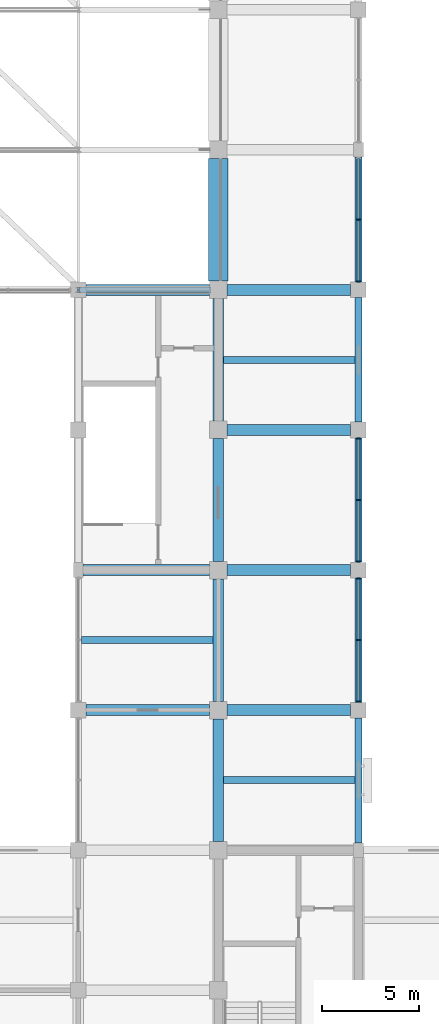
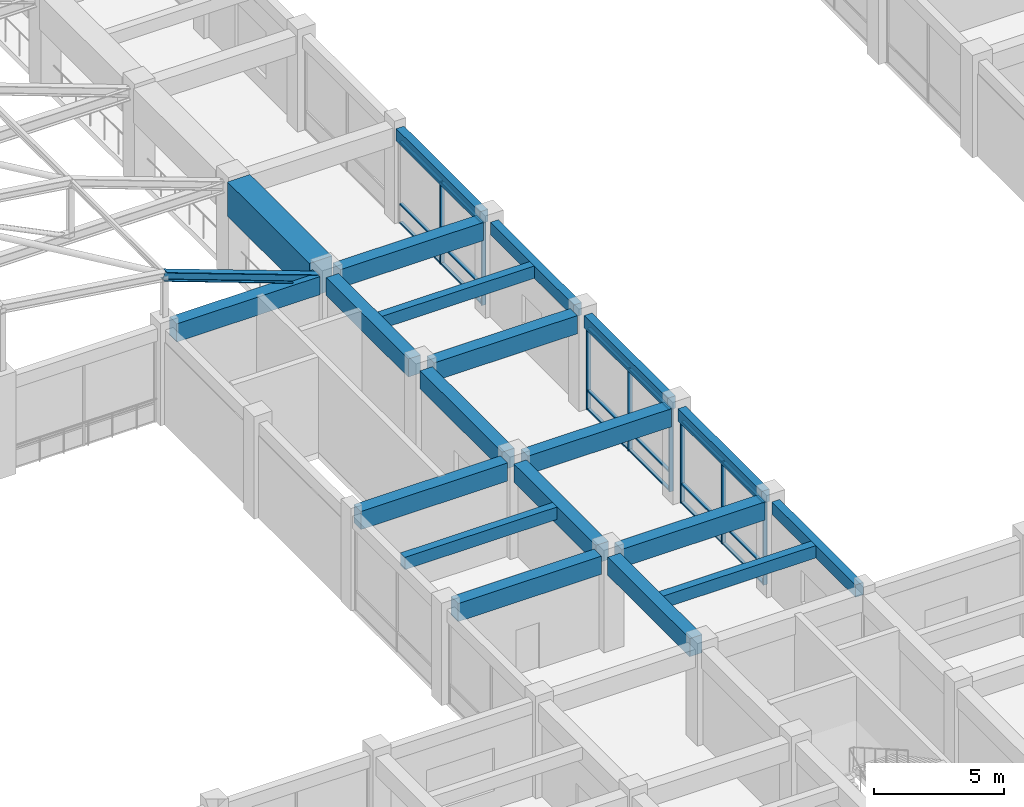
# One storey, part 9 of 75: 27 members, 20 beams, 3 elements without a shape of their own.
"""IFC4 building model written with IfcOpenShell, lengths in metres."""

import ifcopenshell
import ifcopenshell.guid

model = None  # the IFC model being written
_history = None  # IfcOwnerHistory: only IFC2X3 demands one
_inside = {}  # id of a spatial element -> (the spatial element, [elements in it])
_under = {}  # id of a project, library or spatial element -> (it, [spatial elements below it])
_declared = {}  # id of a project -> (the project, [libraries it declares])
_typed = {}  # id of a type object -> (the type object, [elements of that type])
_made_of = {}  # id of a material, layer set ... -> (it, [elements and type objects made of it])


def new_model(schema):
    """Start an empty IFC model of exactly this schema.

    Asked for "IFC4X3", IfcOpenShell would pick the latest addendum, in which some entities
    have other attributes; the version numbers below select the first issue.
    IFC2X3 requires an IfcOwnerHistory on every rooted entity: one is made here for all.
    """
    global model, _history
    if schema == "IFC4X3":
        model = ifcopenshell.file(schema_version=(4, 3, 0, 0))
    else:
        model = ifcopenshell.file(schema=schema)
    _inside.clear()
    _under.clear()
    _declared.clear()
    _typed.clear()
    _made_of.clear()
    _history = None
    if model.schema == "IFC2X3":
        org = make("IfcOrganization", Name="unknown")
        user = make(
            "IfcPersonAndOrganization",
            ThePerson=make("IfcPerson", FamilyName="unknown"),
            TheOrganization=org,
        )
        app = make(
            "IfcApplication",
            ApplicationDeveloper=org,
            Version="unknown",
            ApplicationFullName="unknown",
            ApplicationIdentifier="unknown",
        )
        _history = make(
            "IfcOwnerHistory",
            OwningUser=user,
            OwningApplication=app,
            ChangeAction="ADDED",
            CreationDate=0,
        )
    return model


def make(cls, **values):
    """One entity of the class cls with the attributes given. An attribute that is None is left unset."""
    return model.create_entity(
        cls, **{name: value for name, value in values.items() if value is not None}
    )


def rooted(cls, **values):
    """An entity with a GlobalId (a new one), such as an element, a storey or a relation."""
    return make(cls, GlobalId=ifcopenshell.guid.new(), OwnerHistory=_history, **values)


def si_unit(unit_type, name, prefix=None):
    """IfcSIUnit, for example si_unit("LENGTHUNIT", "METRE", prefix="MILLI")."""
    return make("IfcSIUnit", UnitType=unit_type, Prefix=prefix, Name=name)


def assignment(units):
    """IfcUnitAssignment: the units of a project."""
    return None if units is None else make("IfcUnitAssignment", Units=units)


def point(xyz):
    """IfcCartesianPoint."""
    return None if xyz is None else make("IfcCartesianPoint", Coordinates=xyz)


def direction(xyz):
    """IfcDirection."""
    return None if xyz is None else make("IfcDirection", DirectionRatios=xyz)


def frame(location, z_axis=None, x_axis=None):
    """IfcAxis2Placement3D, a coordinate frame: its origin and axes. An axis left out is left unset."""
    return make(
        "IfcAxis2Placement3D",
        Location=point(location),
        Axis=direction(z_axis),
        RefDirection=direction(x_axis),
    )


def frame_2d(location, x_axis=None):
    """IfcAxis2Placement2D, a coordinate frame in the plane: its origin and x axis."""
    return make(
        "IfcAxis2Placement2D", Location=point(location), RefDirection=direction(x_axis)
    )


def origin():
    """The frame at (0, 0, 0) with its axes left unset."""
    return frame((0.0, 0.0, 0.0))


def origin_2d():
    """The frame at (0, 0) in the plane with its x axis left unset."""
    return frame_2d((0.0, 0.0))


def place(relative_to, where):
    """IfcLocalPlacement: puts the frame where relative to a parent placement (None: the world)."""
    return make(
        "IfcLocalPlacement", PlacementRelTo=relative_to, RelativePlacement=where
    )


def context(
    kind, dimensions, precision=None, world=None, true_north=None, identifier=None
):
    """IfcGeometricRepresentationContext, for example the 3D "Model" context."""
    return make(
        "IfcGeometricRepresentationContext",
        ContextIdentifier=identifier,
        ContextType=kind,
        CoordinateSpaceDimension=dimensions,
        Precision=precision,
        WorldCoordinateSystem=world,
        TrueNorth=true_north,
    )


def subcontext(parent, identifier, kind, view, scale=None):
    """IfcGeometricRepresentationSubContext, for example "Body" below "Model"."""
    return make(
        "IfcGeometricRepresentationSubContext",
        ContextIdentifier=identifier,
        ContextType=kind,
        ParentContext=parent,
        TargetScale=scale,
        TargetView=view,
    )


def project(units=None, contexts=None):
    """IfcProject with its units and contexts."""
    return rooted(
        "IfcProject",
        Name="project",
        RepresentationContexts=contexts,
        UnitsInContext=assignment(units),
    )


def spatial(cls, under=None, at=None, **own):
    """A site, building, storey or space (cls), placed at a placement, below another one or the project."""
    s = rooted(cls, ObjectPlacement=at, **own)
    if under is not None:
        _under.setdefault(under.id(), (under, []))[1].append(s)
    return s


def profile(cls, at=None, kind="AREA", **sizes):
    """A parametric profile (cls). Its sizes go by their IFC names, for example OverallWidth=200.0."""
    return make(cls, ProfileType=kind, Position=at, **sizes)


def rectangle(**sizes):
    """IfcRectangleProfileDef."""
    return profile("IfcRectangleProfileDef", **sizes)


def i_section(**sizes):
    """IfcIShapeProfileDef."""
    return profile("IfcIShapeProfileDef", **sizes)


def extrude(swept, where, along, depth):
    """IfcExtrudedAreaSolid: the profile swept, set in the frame where, extruded along a direction by depth."""
    return make(
        "IfcExtrudedAreaSolid",
        SweptArea=swept,
        Position=where,
        ExtrudedDirection=direction(along),
        Depth=depth,
    )


def shape(context_of_items, identifier, shape_type, items):
    """IfcShapeRepresentation: the items that make up one representation, for example the "Body"."""
    return make(
        "IfcShapeRepresentation",
        ContextOfItems=context_of_items,
        RepresentationIdentifier=identifier,
        RepresentationType=shape_type,
        Items=items,
    )


def material(Name=None, Category=None):
    """IfcMaterial."""
    return make("IfcMaterial", Name=Name, Category=Category)


def layer(
    of_material, thickness, ventilated=None, Name=None, Category=None, Priority=None
):
    """IfcMaterialLayer: one layer of a wall or slab, of a material (None: an air gap)."""
    return make(
        "IfcMaterialLayer",
        Material=of_material,
        LayerThickness=thickness,
        IsVentilated=ventilated,
        Name=Name,
        Category=Category,
        Priority=Priority,
    )


def layer_set(layers, Name=None):
    """IfcMaterialLayerSet."""
    return make("IfcMaterialLayerSet", MaterialLayers=layers, LayerSetName=Name)


def material_profile(
    of_material, cross_section, Name=None, Category=None, Priority=None
):
    """IfcMaterialProfile: a cross section and its material."""
    return make(
        "IfcMaterialProfile",
        Name=Name,
        Material=of_material,
        Profile=cross_section,
        Priority=Priority,
        Category=Category,
    )


def profile_set(profiles, Name=None, composite=None):
    """IfcMaterialProfileSet."""
    return make(
        "IfcMaterialProfileSet",
        Name=Name,
        MaterialProfiles=profiles,
        CompositeProfile=composite,
    )


def made_of(thing, what):
    """Note that an element or type object is made of a material, layer set ...; save() writes the relation."""
    if what is not None:
        _made_of.setdefault(what.id(), (what, []))[1].append(thing)
    return thing


def type_object(cls, material=None, **own):
    """A type object (cls), such as IfcWallType, which elements share."""
    return made_of(rooted(cls, **own), material)


def element(
    cls,
    number,
    at=None,
    inside=None,
    cuts=None,
    type_object=None,
    material=None,
    context=None,
    identifier="Body",
    shape_type=None,
    held_by="IfcProductDefinitionShape",
    body=None,
    shapes=None,
    **own,
):
    """One element of the class cls, such as IfcWall. Its Tag is "e" and its number.

    at: its placement. inside: the storey or other place that contains it. cuts: it is an
    opening in that element (IfcRelVoidsElement). A single representation is given by context,
    identifier, shape_type and body (its items); several are given by shapes. held_by: the class
    of the entity that holds the representations. save() writes the other relations.
    """
    e = rooted(cls, Tag="e%d" % number, ObjectPlacement=at, **own)
    if body is not None:
        shapes = [shape(context, identifier, shape_type, body)]
    if shapes is not None:
        e.Representation = make(held_by, Representations=shapes)
    if inside is not None:
        _inside.setdefault(inside.id(), (inside, []))[1].append(e)
    if cuts is not None:
        rooted(
            "IfcRelVoidsElement", RelatingBuildingElement=cuts, RelatedOpeningElement=e
        )
    if type_object is not None:
        _typed.setdefault(type_object.id(), (type_object, []))[1].append(e)
    return made_of(e, material)


def aggregate(whole, parts):
    """IfcRelAggregates: a whole, such as a stair, and the parts it consists of."""
    return rooted("IfcRelAggregates", RelatingObject=whole, RelatedObjects=parts)


def save(model, path):
    """Write the relations noted so far, then the file.

    IfcRelAggregates (storeys below a building ...), IfcRelContainedInSpatialStructure (elements
    in a storey), IfcRelDefinesByType, IfcRelAssociatesMaterial and IfcRelDeclares: one each for
    every whole, place, type object, material and project.
    """
    for whole, parts in _under.values():
        aggregate(whole, parts)
    for where, things in _inside.values():
        rooted(
            "IfcRelContainedInSpatialStructure",
            RelatedElements=things,
            RelatingStructure=where,
        )
    for kind, things in _typed.values():
        rooted("IfcRelDefinesByType", RelatedObjects=things, RelatingType=kind)
    for what, things in _made_of.values():
        rooted("IfcRelAssociatesMaterial", RelatedObjects=things, RelatingMaterial=what)
    for by, libraries in _declared.values():
        rooted("IfcRelDeclares", RelatingContext=by, RelatedDefinitions=libraries)
    model.write(path)


model = new_model("IFC4")

# Units and contexts
model_context = context("Model", 3, precision=1e-05, world=origin(), true_north=direction((0.0, 1.0)))
body_context = subcontext(model_context, "Body", "Model", "MODEL_VIEW")
ifc_project = project(units=[si_unit("LENGTHUNIT", "METRE"), si_unit("AREAUNIT", "SQUARE_METRE"), si_unit("VOLUMEUNIT", "CUBIC_METRE"), si_unit("PLANEANGLEUNIT", "RADIAN"), si_unit("MASSUNIT", "GRAM", prefix="KILO")], contexts=[model_context])

# Site, building, storey
site_placement = place(None, origin())
site = spatial("IfcSite", under=ifc_project, at=site_placement, CompositionType="ELEMENT")
building_placement = place(site_placement, origin())
building = spatial("IfcBuilding", under=site, at=building_placement, Name="Cendaluz Park School", CompositionType="ELEMENT")
storey_placement = place(building_placement, frame((0.0, 0.0, 4.800048828125)))
storey = spatial("IfcBuildingStorey", under=building, at=storey_placement, Name="L01", CompositionType="ELEMENT", Elevation=4.800048828125)

# Beams
ifc_material_1 = material(Name="Concrete C40/50", Category="concrete")
ifc_material_profile_1 = material_profile(ifc_material_1, rectangle(XDim=0.550048828125, YDim=0.85009765625, at=origin_2d()), Name="RC 550x850", Category="concrete")
ifc_profile_set_1 = profile_set([ifc_material_profile_1], Name="Concrete C40/50")
beam_type_1 = type_object("IfcBeamType", Name="BM-RC01", PredefinedType="BEAM", material=ifc_profile_set_1)
beam_1_placement = place(storey_placement, frame((29.199951171875, 36.0, 4.0048828125), z_axis=(1.0, 0.0, 0.0), x_axis=(0.0, 1.0, 0.0)))
element("IfcBeam", 1, at=beam_1_placement, inside=storey, type_object=beam_type_1, Name="BM-L01-BMRC01-0047", PredefinedType="BEAM", context=body_context, shape_type="SweptSolid", body=[
    extrude(rectangle(XDim=0.550048828125, YDim=0.85009765625, at=origin_2d()), origin(), (0.0, 0.0, 1.0), 6.35009765625),
])
beam_2_placement = place(storey_placement, frame((29.050048828125, 43.199951171875, 4.0048828125), z_axis=(1.0, 0.0, 0.0), x_axis=(0.0, 1.0, 0.0)))
element("IfcBeam", 2, at=beam_2_placement, inside=storey, type_object=beam_type_1, Name="BM-L01-BMRC01-0048", PredefinedType="BEAM", context=body_context, shape_type="SweptSolid", body=[
    extrude(rectangle(XDim=0.550048828125, YDim=0.85009765625, at=origin_2d()), origin(), (0.0, 0.0, 1.0), 6.5),
])
for number, where, z_axis, x_axis, name in (
    (3, (29.199951171875, 57.60009765625, 4.0048828125), (1.0, 0.0, 0.0), (0.0, 1.0, 0.0), "BM-L01-BMRC01-0049"),
    (4, (36.449951171875, 36.0, 4.0048828125), (1.0, 0.0, 0.0), (0.0, 1.0, 0.0), "BM-L01-BMRC01-0057"),
    (5, (36.449951171875, 43.199951171875, 4.0048828125), (1.0, 0.0, 0.0), (0.0, 1.0, 0.0), "BM-L01-BMRC01-0058"),
    (6, (36.449951171875, 50.39990234375, 4.0048828125), (1.0, 0.0, 0.0), (0.0, 1.0, 0.0), "BM-L01-BMRC01-0059"),
    (7, (36.449951171875, 57.60009765625, 4.0048828125), (1.0, 0.0, 0.0), (0.0, 1.0, 0.0), "BM-L01-BMRC01-0060"),
):
    element("IfcBeam", number, at=place(storey_placement, frame(where, z_axis=z_axis, x_axis=x_axis)), inside=storey, type_object=beam_type_1, Name=name, PredefinedType="BEAM", context=body_context, shape_type="SweptSolid", body=[
        extrude(rectangle(XDim=0.550048828125, YDim=0.85009765625, at=origin_2d()), origin(), (0.0, 0.0, 1.0), 6.35009765625),
    ])
for number, where, z_axis, x_axis, name in (
    (8, (36.0, 29.25, 4.0048828125), (0.0, 1.0, 0.0), (-1.0, 0.0, 0.0), "BM-L01-BMRC01-0275"),
    (9, (36.0, 36.449951171875, 4.0048828125), (0.0, 1.0, 0.0), (-1.0, 0.0, 0.0), "BM-L01-BMRC01-0276"),
    (10, (36.0, 43.64990234375, 4.0048828125), (0.0, 1.0, 0.0), (-1.0, 0.0, 0.0), "BM-L01-BMRC01-0277"),
):
    element("IfcBeam", number, at=place(storey_placement, frame(where, z_axis=z_axis, x_axis=x_axis)), inside=storey, type_object=beam_type_1, Name=name, PredefinedType="BEAM", context=body_context, shape_type="SweptSolid", body=[
        extrude(rectangle(XDim=0.550048828125, YDim=0.85009765625, at=origin_2d()), origin(), (0.0, 0.0, 1.0), 6.300048828125),
    ])
beam_3_placement = place(storey_placement, frame((36.0, 50.85009765625, 4.0048828125), z_axis=(0.0, 1.0, 0.0), x_axis=(-1.0, 0.0, 0.0)))
element("IfcBeam", 11, at=beam_3_placement, inside=storey, type_object=beam_type_1, Name="BM-L01-BMRC01-0278", PredefinedType="BEAM", context=body_context, shape_type="SweptSolid", body=[
    extrude(rectangle(XDim=0.550048828125, YDim=0.85009765625, at=origin_2d()), origin(), (0.0, 0.0, 1.0), 6.2998046875),
])
ifc_material_profile_2 = material_profile(ifc_material_1, rectangle(XDim=0.35009765625, YDim=0.580078125, at=origin_2d()), Name="RC 350x580", Category="concrete")
ifc_profile_set_2 = profile_set([ifc_material_profile_2], Name="Concrete C40/50")
beam_type_2 = type_object("IfcBeamType", Name="BM-RC04", PredefinedType="LINTEL", material=ifc_profile_set_2)
beam_4_placement = place(storey_placement, frame((43.199951171875, 29.175048828125, 4.139892578125), z_axis=(0.0, 1.0, 0.0), x_axis=(-1.0, 0.0, 0.0)))
element("IfcBeam", 12, at=beam_4_placement, inside=storey, type_object=beam_type_2, Name="BM-L01-BMRC04-0291", PredefinedType="LINTEL", context=body_context, shape_type="SweptSolid", body=[
    extrude(rectangle(XDim=0.35009765625, YDim=0.580078125, at=origin_2d()), origin(), (0.0, 0.0, 1.0), 6.425048828125),
])
beam_5_placement = place(storey_placement, frame((43.199951171875, 36.39990234375, 4.139892578125), z_axis=(0.0, 1.0, 0.0), x_axis=(-1.0, 0.0, 0.0)))
element("IfcBeam", 13, at=beam_5_placement, inside=storey, type_object=beam_type_2, Name="BM-L01-BMRC04-0292", PredefinedType="LINTEL", context=body_context, shape_type="SweptSolid", body=[
    extrude(rectangle(XDim=0.35009765625, YDim=0.580078125, at=origin_2d()), origin(), (0.0, 0.0, 1.0), 6.400146484375),
])
for number, where, z_axis, x_axis, name in (
    (14, (43.199951171875, 43.60009765625, 4.139892578125), (0.0, 1.0, 0.0), (-1.0, 0.0, 0.0), "BM-L01-BMRC04-0293"),
    (15, (43.199951171875, 50.800048828125, 4.139892578125), (0.0, 1.0, 0.0), (-1.0, 0.0, 0.0), "BM-L01-BMRC04-0294"),
):
    element("IfcBeam", number, at=place(storey_placement, frame(where, z_axis=z_axis, x_axis=x_axis)), inside=storey, type_object=beam_type_2, Name=name, PredefinedType="LINTEL", context=body_context, shape_type="SweptSolid", body=[
        extrude(rectangle(XDim=0.35009765625, YDim=0.580078125, at=origin_2d()), origin(), (0.0, 0.0, 1.0), 6.39990234375),
    ])
beam_6_placement = place(storey_placement, frame((43.199951171875, 58.0, 4.139892578125), z_axis=(0.0, 1.0, 0.0), x_axis=(-1.0, 0.0, 0.0)))
element("IfcBeam", 16, at=beam_6_placement, inside=storey, type_object=beam_type_2, Name="BM-L01-BMRC04-0295", PredefinedType="LINTEL", context=body_context, shape_type="SweptSolid", body=[
    extrude(rectangle(XDim=0.35009765625, YDim=0.580078125, at=origin_2d()), origin(), (0.0, 0.0, 1.0), 6.425048828125),
])

# Curtain wall, members
ifc_material_2 = material(Name="Anodised Aluminium 6063-T6", Category="aluminium")
ifc_layer = layer(ifc_material_2, 0.179931640625)
ifc_layer_set = layer_set([ifc_layer], Name="Anodised Aluminium 6063-T6")
curtain_wall_type = type_object("IfcCurtainWallType", Name="CW-128x77", PredefinedType="NOTDEFINED", material=ifc_layer_set)
curtain_wall_1_placement = place(storey_placement, origin())
curtain_wall_1 = element("IfcCurtainWall", 17, at=curtain_wall_1_placement, inside=storey, type_object=curtain_wall_type, Name="CW-L01-025", PredefinedType="NOTDEFINED")
ifc_material_profile_3 = material_profile(ifc_material_2, rectangle(XDim=0.179931640625, YDim=0.070068359375, at=origin_2d()), Name="CWM 180x70", Category="aluminium")
ifc_profile_set_3 = profile_set([ifc_material_profile_3], Name="Anodised Aluminium 6063-T6")
member_type_1 = type_object("IfcMemberType", Name="CWM-01", PredefinedType="MULLION", material=ifc_profile_set_3)
member_1_placement = place(storey_placement, frame((43.199951171875, 36.43505859375, 0.0), z_axis=(0.0, 0.0, 1.0), x_axis=(-1.0, 0.0, 0.0)))
member_1 = element("IfcMember", 18, at=member_1_placement, type_object=member_type_1, Name="CP-L01-0313", PredefinedType="MULLION", context=body_context, shape_type="SweptSolid", body=[
    extrude(rectangle(XDim=0.179931640625, YDim=0.070068359375, at=origin_2d()), origin(), (0.0, 0.0, 1.0), 3.849853515625),
])
member_2_placement = place(storey_placement, frame((43.199951171875, 39.60009765625, 0.0), z_axis=(0.0, 0.0, 1.0), x_axis=(-1.0, 0.0, 0.0)))
member_2 = element("IfcMember", 19, at=member_2_placement, type_object=member_type_1, Name="CP-L01-0314", PredefinedType="MULLION", context=body_context, shape_type="SweptSolid", body=[
    extrude(rectangle(XDim=0.179931640625, YDim=0.070068359375, at=origin_2d()), origin(), (0.0, 0.0, 1.0), 3.849853515625),
])
member_3_placement = place(storey_placement, frame((43.199951171875, 42.764892578125, 0.0), z_axis=(0.0, 0.0, 1.0), x_axis=(-1.0, 0.0, 0.0)))
member_3 = element("IfcMember", 20, at=member_3_placement, type_object=member_type_1, Name="CP-L01-0315", PredefinedType="MULLION", context=body_context, shape_type="SweptSolid", body=[
    extrude(rectangle(XDim=0.179931640625, YDim=0.070068359375, at=origin_2d()), origin(), (0.0, 0.0, 1.0), 3.849853515625),
])

curtain_wall_2_placement = place(storey_placement, origin())
curtain_wall_2 = element("IfcCurtainWall", 21, at=curtain_wall_2_placement, inside=storey, type_object=curtain_wall_type, Name="CW-L01-026", PredefinedType="NOTDEFINED")
member_4_placement = place(storey_placement, frame((43.199951171875, 43.635009765625, 0.0), z_axis=(0.0, 0.0, 1.0), x_axis=(-1.0, 0.0, 0.0)))
member_4 = element("IfcMember", 22, at=member_4_placement, type_object=member_type_1, Name="CP-L01-0326", PredefinedType="MULLION", context=body_context, shape_type="SweptSolid", body=[
    extrude(rectangle(XDim=0.179931640625, YDim=0.070068359375, at=origin_2d()), origin(), (0.0, 0.0, 1.0), 3.849853515625),
])
member_5_placement = place(storey_placement, frame((43.199951171875, 46.800048828125, 0.0), z_axis=(0.0, 0.0, 1.0), x_axis=(-1.0, 0.0, 0.0)))
member_5 = element("IfcMember", 23, at=member_5_placement, type_object=member_type_1, Name="CP-L01-0327", PredefinedType="MULLION", context=body_context, shape_type="SweptSolid", body=[
    extrude(rectangle(XDim=0.179931640625, YDim=0.070068359375, at=origin_2d()), origin(), (0.0, 0.0, 1.0), 3.849853515625),
])
member_6_placement = place(storey_placement, frame((43.199951171875, 49.965087890625, 0.0), z_axis=(0.0, 0.0, 1.0), x_axis=(-1.0, 0.0, 0.0)))
member_6 = element("IfcMember", 24, at=member_6_placement, type_object=member_type_1, Name="CP-L01-0328", PredefinedType="MULLION", context=body_context, shape_type="SweptSolid", body=[
    extrude(rectangle(XDim=0.179931640625, YDim=0.070068359375, at=origin_2d()), origin(), (0.0, 0.0, 1.0), 3.849853515625),
])

curtain_wall_3_placement = place(storey_placement, origin())
curtain_wall_3 = element("IfcCurtainWall", 25, at=curtain_wall_3_placement, inside=storey, type_object=curtain_wall_type, Name="CW-L01-027", PredefinedType="NOTDEFINED")
member_7_placement = place(storey_placement, frame((43.199951171875, 58.034912109375, 0.0), z_axis=(0.0, 0.0, 1.0), x_axis=(-1.0, 0.0, 0.0)))
member_7 = element("IfcMember", 26, at=member_7_placement, type_object=member_type_1, Name="CP-L01-0339", PredefinedType="MULLION", context=body_context, shape_type="SweptSolid", body=[
    extrude(rectangle(XDim=0.179931640625, YDim=0.070068359375, at=origin_2d()), origin(), (0.0, 0.0, 1.0), 3.849853515625),
])
member_8_placement = place(storey_placement, frame((43.199951171875, 61.21240234375, 0.0), z_axis=(0.0, 0.0, 1.0), x_axis=(-1.0, 0.0, 0.0)))
member_8 = element("IfcMember", 27, at=member_8_placement, type_object=member_type_1, Name="CP-L01-0340", PredefinedType="MULLION", context=body_context, shape_type="SweptSolid", body=[
    extrude(rectangle(XDim=0.179931640625, YDim=0.070068359375, at=origin_2d()), origin(), (0.0, 0.0, 1.0), 3.849853515625),
])

# Member
ifc_material_profile_4 = material_profile(ifc_material_2, rectangle(XDim=0.139892578125, YDim=0.070068359375, at=origin_2d()), Name="CWT 140x70", Category="aluminium")
ifc_profile_set_4 = profile_set([ifc_material_profile_4], Name="Anodised Aluminium 6063-T6")
member_type_2 = type_object("IfcMemberType", Name="CWT-01", PredefinedType="USERDEFINED", material=ifc_profile_set_4)
member_9_placement = place(storey_placement, frame((43.199951171875, 36.469970703125, 0.034912109375), z_axis=(0.0, 1.0, 0.0), x_axis=(-1.0, 0.0, 0.0)))
member_9 = element("IfcMember", 28, at=member_9_placement, type_object=member_type_2, Name="CP-L01-0316", ObjectType="TRANSOM", PredefinedType="USERDEFINED", context=body_context, shape_type="SweptSolid", body=[
    extrude(rectangle(XDim=0.139892578125, YDim=0.070068359375, at=origin_2d()), origin(), (0.0, 0.0, 1.0), 3.094970703125),
])

member_10_placement = place(storey_placement, frame((43.199951171875, 36.469970703125, 0.89990234375), z_axis=(0.0, 1.0, 0.0), x_axis=(-1.0, 0.0, 0.0)))
member_10 = element("IfcMember", 29, at=member_10_placement, type_object=member_type_2, Name="CP-L01-0317", ObjectType="TRANSOM", PredefinedType="USERDEFINED", context=body_context, shape_type="SweptSolid", body=[
    extrude(rectangle(XDim=0.139892578125, YDim=0.070068359375, at=origin_2d()), origin(), (0.0, 0.0, 1.0), 3.094970703125),
])

member_11_placement = place(storey_placement, frame((43.199951171875, 36.469970703125, 3.81494140625), z_axis=(0.0, 1.0, 0.0), x_axis=(-1.0, 0.0, 0.0)))
member_11 = element("IfcMember", 30, at=member_11_placement, type_object=member_type_2, Name="CP-L01-0318", ObjectType="TRANSOM", PredefinedType="USERDEFINED", context=body_context, shape_type="SweptSolid", body=[
    extrude(rectangle(XDim=0.139892578125, YDim=0.070068359375, at=origin_2d()), origin(), (0.0, 0.0, 1.0), 3.094970703125),
])

member_12_placement = place(storey_placement, frame((43.199951171875, 39.635009765625, 0.034912109375), z_axis=(0.0, 1.0, 0.0), x_axis=(-1.0, 0.0, 0.0)))
member_12 = element("IfcMember", 31, at=member_12_placement, type_object=member_type_2, Name="CP-L01-0321", ObjectType="TRANSOM", PredefinedType="USERDEFINED", context=body_context, shape_type="SweptSolid", body=[
    extrude(rectangle(XDim=0.139892578125, YDim=0.070068359375, at=origin_2d()), origin(), (0.0, 0.0, 1.0), 3.094970703125),
])

member_13_placement = place(storey_placement, frame((43.199951171875, 39.635009765625, 0.89990234375), z_axis=(0.0, 1.0, 0.0), x_axis=(-1.0, 0.0, 0.0)))
member_13 = element("IfcMember", 32, at=member_13_placement, type_object=member_type_2, Name="CP-L01-0322", ObjectType="TRANSOM", PredefinedType="USERDEFINED", context=body_context, shape_type="SweptSolid", body=[
    extrude(rectangle(XDim=0.139892578125, YDim=0.070068359375, at=origin_2d()), origin(), (0.0, 0.0, 1.0), 3.094970703125),
])

member_14_placement = place(storey_placement, frame((43.199951171875, 39.635009765625, 3.81494140625), z_axis=(0.0, 1.0, 0.0), x_axis=(-1.0, 0.0, 0.0)))
member_14 = element("IfcMember", 33, at=member_14_placement, type_object=member_type_2, Name="CP-L01-0323", ObjectType="TRANSOM", PredefinedType="USERDEFINED", context=body_context, shape_type="SweptSolid", body=[
    extrude(rectangle(XDim=0.139892578125, YDim=0.070068359375, at=origin_2d()), origin(), (0.0, 0.0, 1.0), 3.094970703125),
])

aggregate(curtain_wall_1, [member_1, member_2, member_3, member_9, member_10, member_11, member_12, member_13, member_14])

member_15_placement = place(storey_placement, frame((43.199951171875, 43.669921875, 0.034912109375), z_axis=(0.0, 1.0, 0.0), x_axis=(-1.0, 0.0, 0.0)))
member_15 = element("IfcMember", 34, at=member_15_placement, type_object=member_type_2, Name="CP-L01-0329", ObjectType="TRANSOM", PredefinedType="USERDEFINED", context=body_context, shape_type="SweptSolid", body=[
    extrude(rectangle(XDim=0.139892578125, YDim=0.070068359375, at=origin_2d()), origin(), (0.0, 0.0, 1.0), 3.094970703125),
])

member_16_placement = place(storey_placement, frame((43.199951171875, 43.669921875, 0.89990234375), z_axis=(0.0, 1.0, 0.0), x_axis=(-1.0, 0.0, 0.0)))
member_16 = element("IfcMember", 35, at=member_16_placement, type_object=member_type_2, Name="CP-L01-0330", ObjectType="TRANSOM", PredefinedType="USERDEFINED", context=body_context, shape_type="SweptSolid", body=[
    extrude(rectangle(XDim=0.139892578125, YDim=0.070068359375, at=origin_2d()), origin(), (0.0, 0.0, 1.0), 3.094970703125),
])

member_17_placement = place(storey_placement, frame((43.199951171875, 43.669921875, 3.81494140625), z_axis=(0.0, 1.0, 0.0), x_axis=(-1.0, 0.0, 0.0)))
member_17 = element("IfcMember", 36, at=member_17_placement, type_object=member_type_2, Name="CP-L01-0331", ObjectType="TRANSOM", PredefinedType="USERDEFINED", context=body_context, shape_type="SweptSolid", body=[
    extrude(rectangle(XDim=0.139892578125, YDim=0.070068359375, at=origin_2d()), origin(), (0.0, 0.0, 1.0), 3.094970703125),
])

member_18_placement = place(storey_placement, frame((43.199951171875, 46.8349609375, 0.034912109375), z_axis=(0.0, 1.0, 0.0), x_axis=(-1.0, 0.0, 0.0)))
member_18 = element("IfcMember", 37, at=member_18_placement, type_object=member_type_2, Name="CP-L01-0334", ObjectType="TRANSOM", PredefinedType="USERDEFINED", context=body_context, shape_type="SweptSolid", body=[
    extrude(rectangle(XDim=0.139892578125, YDim=0.070068359375, at=origin_2d()), origin(), (0.0, 0.0, 1.0), 3.094970703125),
])

member_19_placement = place(storey_placement, frame((43.199951171875, 46.8349609375, 0.89990234375), z_axis=(0.0, 1.0, 0.0), x_axis=(-1.0, 0.0, 0.0)))
member_19 = element("IfcMember", 38, at=member_19_placement, type_object=member_type_2, Name="CP-L01-0335", ObjectType="TRANSOM", PredefinedType="USERDEFINED", context=body_context, shape_type="SweptSolid", body=[
    extrude(rectangle(XDim=0.139892578125, YDim=0.070068359375, at=origin_2d()), origin(), (0.0, 0.0, 1.0), 3.094970703125),
])

member_20_placement = place(storey_placement, frame((43.199951171875, 46.8349609375, 3.81494140625), z_axis=(0.0, 1.0, 0.0), x_axis=(-1.0, 0.0, 0.0)))
member_20 = element("IfcMember", 39, at=member_20_placement, type_object=member_type_2, Name="CP-L01-0336", ObjectType="TRANSOM", PredefinedType="USERDEFINED", context=body_context, shape_type="SweptSolid", body=[
    extrude(rectangle(XDim=0.139892578125, YDim=0.070068359375, at=origin_2d()), origin(), (0.0, 0.0, 1.0), 3.094970703125),
])

aggregate(curtain_wall_2, [member_4, member_5, member_6, member_15, member_16, member_17, member_18, member_19, member_20])

member_21_placement = place(storey_placement, frame((43.199951171875, 58.070068359375, 0.034912109375), z_axis=(0.0, 1.0, 0.0), x_axis=(-1.0, 0.0, 0.0)))
member_21 = element("IfcMember", 40, at=member_21_placement, type_object=member_type_2, Name="CP-L01-0342", ObjectType="TRANSOM", PredefinedType="USERDEFINED", context=body_context, shape_type="SweptSolid", body=[
    extrude(rectangle(XDim=0.139892578125, YDim=0.070068359375, at=origin_2d()), origin(), (0.0, 0.0, 1.0), 3.107421875),
])

member_22_placement = place(storey_placement, frame((43.199951171875, 58.070068359375, 0.89990234375), z_axis=(0.0, 1.0, 0.0), x_axis=(-1.0, 0.0, 0.0)))
member_22 = element("IfcMember", 41, at=member_22_placement, type_object=member_type_2, Name="CP-L01-0343", ObjectType="TRANSOM", PredefinedType="USERDEFINED", context=body_context, shape_type="SweptSolid", body=[
    extrude(rectangle(XDim=0.139892578125, YDim=0.070068359375, at=origin_2d()), origin(), (0.0, 0.0, 1.0), 3.107421875),
])

member_23_placement = place(storey_placement, frame((43.199951171875, 58.070068359375, 3.81494140625), z_axis=(0.0, 1.0, 0.0), x_axis=(-1.0, 0.0, 0.0)))
member_23 = element("IfcMember", 42, at=member_23_placement, type_object=member_type_2, Name="CP-L01-0344", ObjectType="TRANSOM", PredefinedType="USERDEFINED", context=body_context, shape_type="SweptSolid", body=[
    extrude(rectangle(XDim=0.139892578125, YDim=0.070068359375, at=origin_2d()), origin(), (0.0, 0.0, 1.0), 3.107421875),
])

member_24_placement = place(storey_placement, frame((43.199951171875, 61.24755859375, 0.034912109375), z_axis=(0.0, 1.0, 0.0), x_axis=(-1.0, 0.0, 0.0)))
member_24 = element("IfcMember", 43, at=member_24_placement, type_object=member_type_2, Name="CP-L01-0347", ObjectType="TRANSOM", PredefinedType="USERDEFINED", context=body_context, shape_type="SweptSolid", body=[
    extrude(rectangle(XDim=0.139892578125, YDim=0.070068359375, at=origin_2d()), origin(), (0.0, 0.0, 1.0), 3.107421875),
])

member_25_placement = place(storey_placement, frame((43.199951171875, 61.24755859375, 0.89990234375), z_axis=(0.0, 1.0, 0.0), x_axis=(-1.0, 0.0, 0.0)))
member_25 = element("IfcMember", 44, at=member_25_placement, type_object=member_type_2, Name="CP-L01-0348", ObjectType="TRANSOM", PredefinedType="USERDEFINED", context=body_context, shape_type="SweptSolid", body=[
    extrude(rectangle(XDim=0.139892578125, YDim=0.070068359375, at=origin_2d()), origin(), (0.0, 0.0, 1.0), 3.107421875),
])

member_26_placement = place(storey_placement, frame((43.199951171875, 61.24755859375, 3.81494140625), z_axis=(0.0, 1.0, 0.0), x_axis=(-1.0, 0.0, 0.0)))
member_26 = element("IfcMember", 45, at=member_26_placement, type_object=member_type_2, Name="CP-L01-0349", ObjectType="TRANSOM", PredefinedType="USERDEFINED", context=body_context, shape_type="SweptSolid", body=[
    extrude(rectangle(XDim=0.139892578125, YDim=0.070068359375, at=origin_2d()), origin(), (0.0, 0.0, 1.0), 3.107421875),
])

aggregate(curtain_wall_3, [member_7, member_8, member_21, member_22, member_23, member_24, member_25, member_26])

# Beams
ifc_material_profile_5 = material_profile(ifc_material_1, rectangle(XDim=0.35009765625, YDim=0.580078125, at=origin_2d()), Name="RC 350x580", Category="concrete")
ifc_profile_set_5 = profile_set([ifc_material_profile_5], Name="Concrete C40/50")
beam_type_3 = type_object("IfcBeamType", Name="JT-RC01", PredefinedType="JOIST", material=ifc_profile_set_5)
for number, where, z_axis, x_axis, name in (
    (46, (28.97509765625, 39.60009765625, 4.139892578125), (1.0, 0.0, 0.0), (0.0, 1.0, 0.0), "BM-L01-JTRC01-0477"),
    (47, (36.27490234375, 32.39990234375, 4.139892578125), (1.0, 0.0, 0.0), (0.0, 1.0, 0.0), "BM-L01-JTRC01-0480"),
    (48, (36.27490234375, 54.0, 4.139892578125), (1.0, 0.0, 0.0), (0.0, 1.0, 0.0), "BM-L01-JTRC01-0481"),
):
    element("IfcBeam", number, at=place(storey_placement, frame(where, z_axis=z_axis, x_axis=x_axis)), inside=storey, type_object=beam_type_3, Name=name, PredefinedType="JOIST", context=body_context, shape_type="SweptSolid", body=[
        extrude(rectangle(XDim=0.35009765625, YDim=0.580078125, at=origin_2d()), origin(), (0.0, 0.0, 1.0), 6.75),
    ])

# Member
ifc_material_3 = material(Name="Steel S355", Category="steel")
ifc_material_profile_6 = material_profile(ifc_material_3, i_section(OverallWidth=0.300048828125, OverallDepth=0.39990234375, WebThickness=0.013916015625, FlangeThickness=0.02392578125, FilletRadius=0.027099609375, at=origin_2d()), Name="HEB 400", Category="steel")
ifc_profile_set_6 = profile_set([ifc_material_profile_6], Name="Steel S355")
member_type_3 = type_object("IfcMemberType", Name="MB-CH01", PredefinedType="CHORD", material=ifc_profile_set_6)
member_27_placement = place(storey_placement, frame((28.800048828125, 57.60009765625, 6.68994140625), z_axis=(0.939102267455, 0.0, -0.343637790793), x_axis=(0.0, 1.0, 0.0)))
element("IfcMember", 49, at=member_27_placement, inside=storey, type_object=member_type_3, Name="MB-L01-MBCH01-0004", PredefinedType="CHORD", context=body_context, shape_type="SweptSolid", body=[
    extrude(i_section(OverallWidth=0.300048828125, OverallDepth=0.39990234375, WebThickness=0.013916015625, FlangeThickness=0.02392578125, FilletRadius=0.027099609375, at=origin_2d()), origin(), (0.0, 0.0, 1.0), 7.187744140625),
])

# Beam
ifc_material_profile_7 = material_profile(ifc_material_1, rectangle(XDim=1.0, YDim=1.60009765625, at=origin_2d()), Name="RC 1000x1600", Category="concrete")
ifc_profile_set_7 = profile_set([ifc_material_profile_7], Name="Concrete C40/50")
beam_type_4 = type_object("IfcBeamType", Name="TG-RC01", PredefinedType="BEAM", material=ifc_profile_set_7)
beam_7_placement = place(storey_placement, frame((36.0, 58.050048828125, 3.820068359375), z_axis=(0.0, 1.0, 0.0), x_axis=(-1.0, 0.0, 0.0)))
element("IfcBeam", 50, at=beam_7_placement, inside=storey, type_object=beam_type_4, Name="Barrel Vault Collector Girder BM-L01-TGRC01-0279", PredefinedType="BEAM", context=body_context, shape_type="SweptSolid", body=[
    extrude(rectangle(XDim=1.0, YDim=1.60009765625, at=origin_2d()), origin(), (0.0, 0.0, 1.0), 6.300048828125),
])

save(model, "model.ifc")
